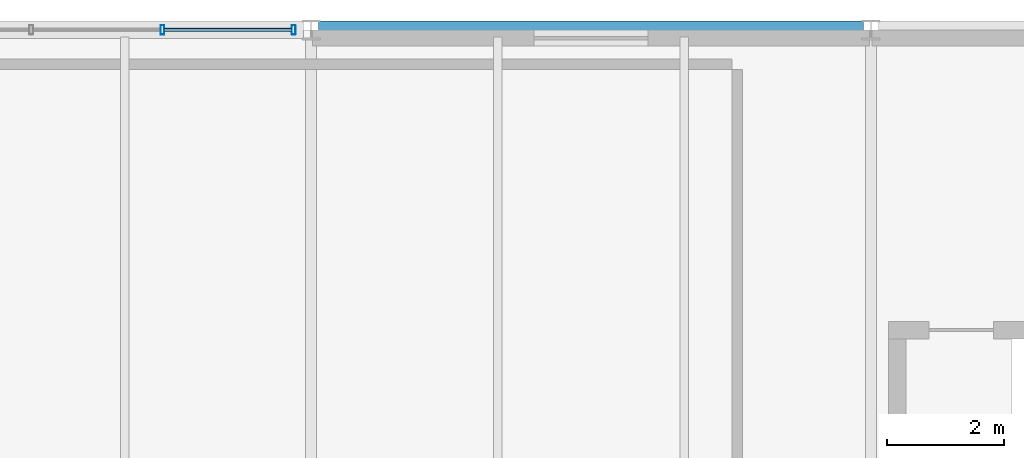
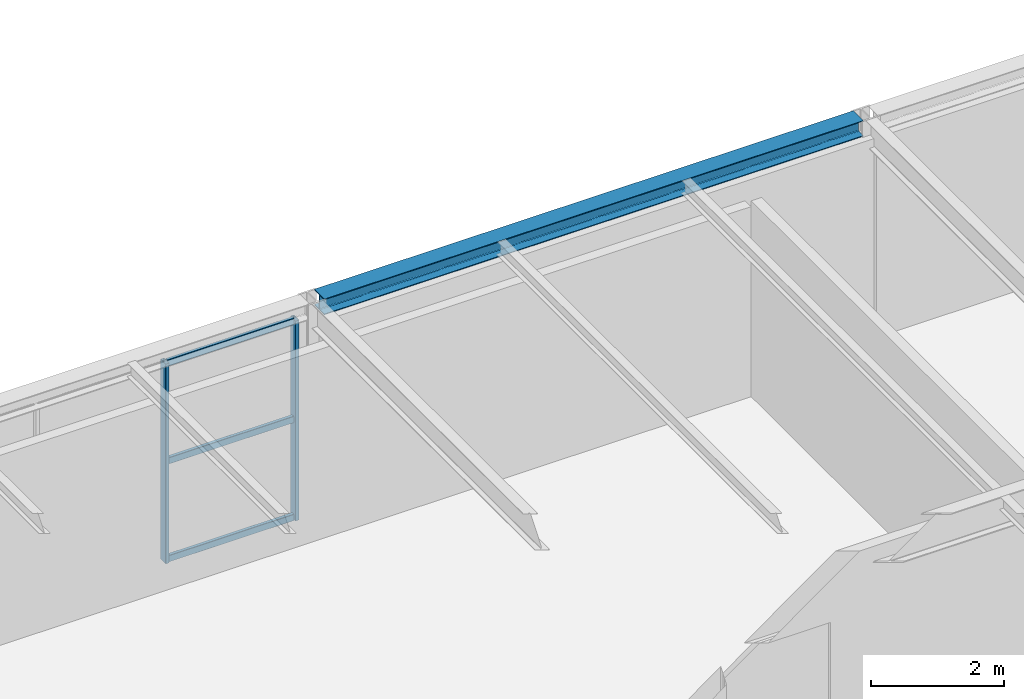
# One storey, part 93 of 126: 5 members, 1 beam, 1 element without a shape of its own.
"""IFC4 building model written with IfcOpenShell, lengths in metres."""

from ifc_helpers import new_model, si_unit, direction, frame, origin, origin_2d, place, context, subcontext, project, spatial, hollow_rectangle, i_section, extrude, material, material_profile, profile_set, type_object, element, aggregate, save


model = new_model("IFC4")

# Units and contexts
model_context = context("Model", 3, precision=1e-05, world=origin(), true_north=direction((0.0, 1.0)))
body_context = subcontext(model_context, "Body", "Model", "MODEL_VIEW")
ifc_project = project(units=[si_unit("LENGTHUNIT", "METRE"), si_unit("AREAUNIT", "SQUARE_METRE"), si_unit("VOLUMEUNIT", "CUBIC_METRE"), si_unit("PLANEANGLEUNIT", "RADIAN"), si_unit("MASSUNIT", "GRAM", prefix="KILO")], contexts=[model_context])

# Site, building, storey
site_placement = place(None, origin())
site = spatial("IfcSite", under=ifc_project, at=site_placement, CompositionType="ELEMENT")
building_placement = place(site_placement, origin())
building = spatial("IfcBuilding", under=site, at=building_placement, Name="Coralgate Yard Interchange", CompositionType="ELEMENT")
storey_placement = place(building_placement, frame((0.0, 0.0, 10.5)))
storey = spatial("IfcBuildingStorey", under=building, at=storey_placement, Name="L02", CompositionType="ELEMENT", Elevation=10.5)

# Beam
ifc_material_1 = material(Name="Structural steel S355J2", Category="steel")
ifc_material_profile_1 = material_profile(ifc_material_1, i_section(OverallWidth=0.300048828125, OverallDepth=0.2900390625, WebThickness=0.008544921875, FlangeThickness=0.013916015625, FilletRadius=0.027099609375, at=origin_2d()), Name="HEA 300")
ifc_profile_set_1 = profile_set([ifc_material_profile_1], Name="Structural steel S355J2")
beam_type = type_object("IfcBeamType", Name="BM-SP-2", PredefinedType="SPANDREL", material=ifc_profile_set_1)
beam_placement = place(storey_placement, frame((67.327392578125, 96.0, 3.804931640625), z_axis=(1.0, 0.0, 0.0), x_axis=(0.0, 1.0, 0.0)))
element("IfcBeam", 1, at=beam_placement, inside=storey, type_object=beam_type, Name="L02 primary grid beam Y10 X7-8", PredefinedType="SPANDREL", context=body_context, shape_type="SweptSolid", body=[
    extrude(i_section(OverallWidth=0.300048828125, OverallDepth=0.2900390625, WebThickness=0.008544921875, FlangeThickness=0.013916015625, FilletRadius=0.027099609375, at=origin_2d()), origin(), (0.0, 0.0, 1.0), 9.34521484375),
])

# Curtain wall, members
ifc_material_2 = material(Name="Anodised coastal aluminium and solar-control low-E glass", Category="aluminium")
curtain_wall_type = type_object("IfcCurtainWallType", Name="CW-CW-L02-A", PredefinedType="NOTDEFINED", material=ifc_material_2)
curtain_wall_placement = place(storey_placement, origin())
curtain_wall = element("IfcCurtainWall", 2, at=curtain_wall_placement, inside=storey, type_object=curtain_wall_type, Name="L02 unitised curtain wall CW-L02-N-06-09", PredefinedType="NOTDEFINED")
ifc_material_3 = material(Name="Anodised coastal aluminium 6063-T6", Category="aluminium")
ifc_material_profile_2 = material_profile(ifc_material_3, hollow_rectangle(XDim=0.06494140625, YDim=0.159912109375, WallThickness=0.00390625, InnerFilletRadius=0.00390625, OuterFilletRadius=0.008056640625, at=origin_2d()), Name="ALU 65x160x4")
ifc_profile_set_2 = profile_set([ifc_material_profile_2], Name="Anodised coastal aluminium 6063-T6")
member_type_1 = type_object("IfcMemberType", Name="MB-MUL-160", PredefinedType="MULLION", material=ifc_profile_set_2)
member_1_placement = place(storey_placement, frame((64.64990234375, 96.0, 0.0), z_axis=(0.0, 0.0, 1.0), x_axis=(1.0, 0.0, 0.0)))
member_1 = element("IfcMember", 3, at=member_1_placement, type_object=member_type_1, Name="CW-L02-N-06-09 vertical mullion 4", PredefinedType="MULLION", context=body_context, shape_type="SweptSolid", body=[
    extrude(hollow_rectangle(XDim=0.06494140625, YDim=0.159912109375, WallThickness=0.00390625, InnerFilletRadius=0.00390625, OuterFilletRadius=0.008056640625, at=origin_2d()), origin(), (0.0, 0.0, 1.0), 3.659912109375),
])
member_2_placement = place(storey_placement, frame((66.89990234375, 96.0, 0.0), z_axis=(0.0, 0.0, 1.0), x_axis=(1.0, 0.0, 0.0)))
member_2 = element("IfcMember", 4, at=member_2_placement, type_object=member_type_1, Name="CW-L02-N-06-09 vertical mullion 5", PredefinedType="MULLION", context=body_context, shape_type="SweptSolid", body=[
    extrude(hollow_rectangle(XDim=0.06494140625, YDim=0.159912109375, WallThickness=0.00390625, InnerFilletRadius=0.00390625, OuterFilletRadius=0.008056640625, at=origin_2d()), origin(), (0.0, 0.0, 1.0), 3.659912109375),
])
ifc_material_profile_3 = material_profile(ifc_material_3, hollow_rectangle(XDim=0.06005859375, YDim=0.1201171875, WallThickness=0.00341796875, InnerFilletRadius=0.00341796875, OuterFilletRadius=0.007080078125, at=origin_2d()), Name="ALU 60x120x3.5")
ifc_profile_set_3 = profile_set([ifc_material_profile_3], Name="Anodised coastal aluminium 6063-T6")
member_type_2 = type_object("IfcMemberType", Name="MB-TRN-120", PredefinedType="USERDEFINED", material=ifc_profile_set_3)
member_3_placement = place(storey_placement, frame((64.679931640625, 96.0, 0.034912109375), z_axis=(1.0, 0.0, 0.0), x_axis=(0.0, 1.0, 0.0)))
member_3 = element("IfcMember", 5, at=member_3_placement, type_object=member_type_2, Name="CW-L02-N-06-09 horizontal transom 4-1", ObjectType="TRANSOM", PredefinedType="USERDEFINED", context=body_context, shape_type="SweptSolid", body=[
    extrude(hollow_rectangle(XDim=0.06005859375, YDim=0.1201171875, WallThickness=0.00341796875, InnerFilletRadius=0.00341796875, OuterFilletRadius=0.007080078125, at=origin_2d()), origin(), (0.0, 0.0, 1.0), 2.190185546875),
])
member_4_placement = place(storey_placement, frame((64.679931640625, 96.0, 1.830078125), z_axis=(1.0, 0.0, 0.0), x_axis=(0.0, 1.0, 0.0)))
member_4 = element("IfcMember", 6, at=member_4_placement, type_object=member_type_2, Name="CW-L02-N-06-09 horizontal transom 4-2", ObjectType="TRANSOM", PredefinedType="USERDEFINED", context=body_context, shape_type="SweptSolid", body=[
    extrude(hollow_rectangle(XDim=0.06005859375, YDim=0.1201171875, WallThickness=0.00341796875, InnerFilletRadius=0.00341796875, OuterFilletRadius=0.007080078125, at=origin_2d()), origin(), (0.0, 0.0, 1.0), 2.190185546875),
])
member_5_placement = place(storey_placement, frame((64.679931640625, 96.0, 3.625), z_axis=(1.0, 0.0, 0.0), x_axis=(0.0, 1.0, 0.0)))
member_5 = element("IfcMember", 7, at=member_5_placement, type_object=member_type_2, Name="CW-L02-N-06-09 horizontal transom 4-3", ObjectType="TRANSOM", PredefinedType="USERDEFINED", context=body_context, shape_type="SweptSolid", body=[
    extrude(hollow_rectangle(XDim=0.06005859375, YDim=0.1201171875, WallThickness=0.00341796875, InnerFilletRadius=0.00341796875, OuterFilletRadius=0.007080078125, at=origin_2d()), origin(), (0.0, 0.0, 1.0), 2.190185546875),
])
aggregate(curtain_wall, [member_1, member_2, member_3, member_4, member_5])

save(model, "model.ifc")
